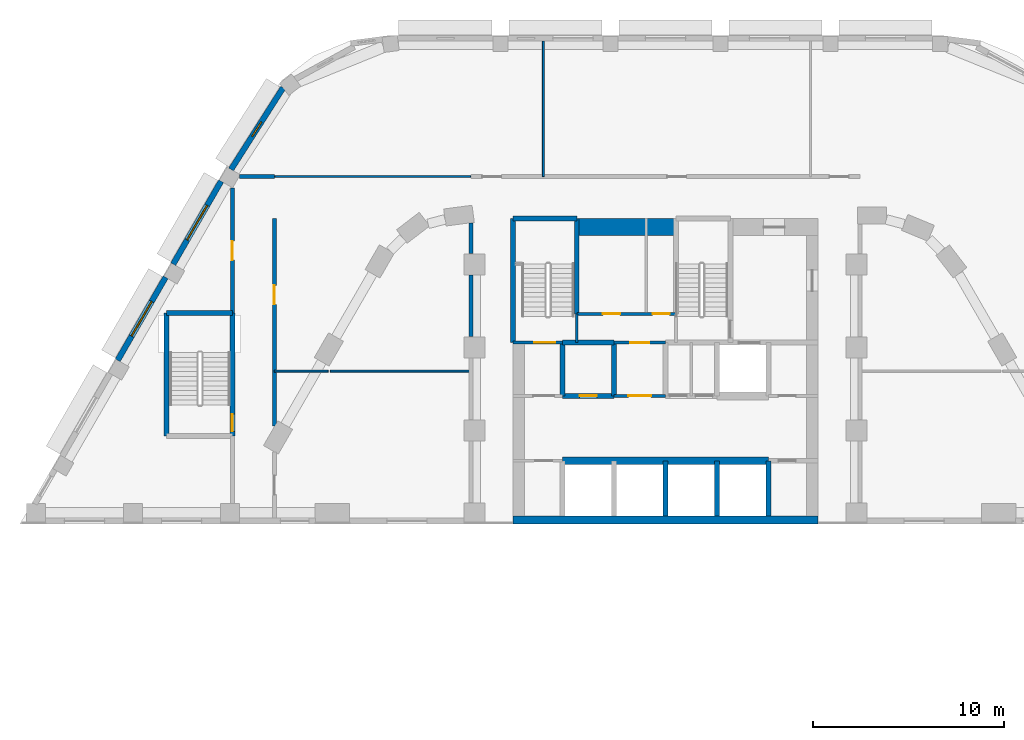
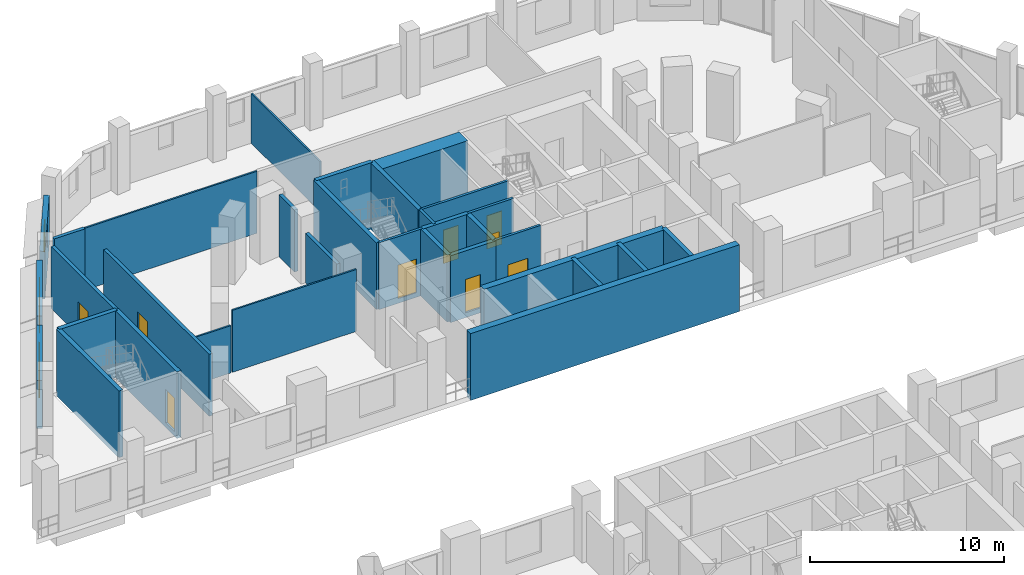
# One storey, part 20 of 33: 33 walls, 9 doors, 3 windows, 12 openings.
"""IFC4 building model written with IfcOpenShell, lengths in metres."""

import ifcopenshell
import ifcopenshell.guid

model = None  # the IFC model being written
_history = None  # IfcOwnerHistory: only IFC2X3 demands one
_inside = {}  # id of a spatial element -> (the spatial element, [elements in it])
_under = {}  # id of a project, library or spatial element -> (it, [spatial elements below it])
_declared = {}  # id of a project -> (the project, [libraries it declares])
_typed = {}  # id of a type object -> (the type object, [elements of that type])
_made_of = {}  # id of a material, layer set ... -> (it, [elements and type objects made of it])


def new_model(schema):
    """Start an empty IFC model of exactly this schema.

    Asked for "IFC4X3", IfcOpenShell would pick the latest addendum, in which some entities
    have other attributes; the version numbers below select the first issue.
    IFC2X3 requires an IfcOwnerHistory on every rooted entity: one is made here for all.
    """
    global model, _history
    if schema == "IFC4X3":
        model = ifcopenshell.file(schema_version=(4, 3, 0, 0))
    else:
        model = ifcopenshell.file(schema=schema)
    _inside.clear()
    _under.clear()
    _declared.clear()
    _typed.clear()
    _made_of.clear()
    _history = None
    if model.schema == "IFC2X3":
        org = make("IfcOrganization", Name="unknown")
        user = make(
            "IfcPersonAndOrganization",
            ThePerson=make("IfcPerson", FamilyName="unknown"),
            TheOrganization=org,
        )
        app = make(
            "IfcApplication",
            ApplicationDeveloper=org,
            Version="unknown",
            ApplicationFullName="unknown",
            ApplicationIdentifier="unknown",
        )
        _history = make(
            "IfcOwnerHistory",
            OwningUser=user,
            OwningApplication=app,
            ChangeAction="ADDED",
            CreationDate=0,
        )
    return model


def make(cls, **values):
    """One entity of the class cls with the attributes given. An attribute that is None is left unset."""
    return model.create_entity(
        cls, **{name: value for name, value in values.items() if value is not None}
    )


def rooted(cls, **values):
    """An entity with a GlobalId (a new one), such as an element, a storey or a relation."""
    return make(cls, GlobalId=ifcopenshell.guid.new(), OwnerHistory=_history, **values)


def si_unit(unit_type, name, prefix=None):
    """IfcSIUnit, for example si_unit("LENGTHUNIT", "METRE", prefix="MILLI")."""
    return make("IfcSIUnit", UnitType=unit_type, Prefix=prefix, Name=name)


def assignment(units):
    """IfcUnitAssignment: the units of a project."""
    return None if units is None else make("IfcUnitAssignment", Units=units)


def point(xyz):
    """IfcCartesianPoint."""
    return None if xyz is None else make("IfcCartesianPoint", Coordinates=xyz)


def direction(xyz):
    """IfcDirection."""
    return None if xyz is None else make("IfcDirection", DirectionRatios=xyz)


def frame(location, z_axis=None, x_axis=None):
    """IfcAxis2Placement3D, a coordinate frame: its origin and axes. An axis left out is left unset."""
    return make(
        "IfcAxis2Placement3D",
        Location=point(location),
        Axis=direction(z_axis),
        RefDirection=direction(x_axis),
    )


def frame_2d(location, x_axis=None):
    """IfcAxis2Placement2D, a coordinate frame in the plane: its origin and x axis."""
    return make(
        "IfcAxis2Placement2D", Location=point(location), RefDirection=direction(x_axis)
    )


def origin():
    """The frame at (0, 0, 0) with its axes left unset."""
    return frame((0.0, 0.0, 0.0))


def place(relative_to, where):
    """IfcLocalPlacement: puts the frame where relative to a parent placement (None: the world)."""
    return make(
        "IfcLocalPlacement", PlacementRelTo=relative_to, RelativePlacement=where
    )


def context(
    kind, dimensions, precision=None, world=None, true_north=None, identifier=None
):
    """IfcGeometricRepresentationContext, for example the 3D "Model" context."""
    return make(
        "IfcGeometricRepresentationContext",
        ContextIdentifier=identifier,
        ContextType=kind,
        CoordinateSpaceDimension=dimensions,
        Precision=precision,
        WorldCoordinateSystem=world,
        TrueNorth=true_north,
    )


def subcontext(parent, identifier, kind, view, scale=None):
    """IfcGeometricRepresentationSubContext, for example "Body" below "Model"."""
    return make(
        "IfcGeometricRepresentationSubContext",
        ContextIdentifier=identifier,
        ContextType=kind,
        ParentContext=parent,
        TargetScale=scale,
        TargetView=view,
    )


def project(units=None, contexts=None):
    """IfcProject with its units and contexts."""
    return rooted(
        "IfcProject",
        Name="project",
        RepresentationContexts=contexts,
        UnitsInContext=assignment(units),
    )


def spatial(cls, under=None, at=None, **own):
    """A site, building, storey or space (cls), placed at a placement, below another one or the project."""
    s = rooted(cls, ObjectPlacement=at, **own)
    if under is not None:
        _under.setdefault(under.id(), (under, []))[1].append(s)
    return s


def profile(cls, at=None, kind="AREA", **sizes):
    """A parametric profile (cls). Its sizes go by their IFC names, for example OverallWidth=200.0."""
    return make(cls, ProfileType=kind, Position=at, **sizes)


def rectangle(**sizes):
    """IfcRectangleProfileDef."""
    return profile("IfcRectangleProfileDef", **sizes)


def extrude(swept, where, along, depth):
    """IfcExtrudedAreaSolid: the profile swept, set in the frame where, extruded along a direction by depth."""
    return make(
        "IfcExtrudedAreaSolid",
        SweptArea=swept,
        Position=where,
        ExtrudedDirection=direction(along),
        Depth=depth,
    )


def shape(context_of_items, identifier, shape_type, items):
    """IfcShapeRepresentation: the items that make up one representation, for example the "Body"."""
    return make(
        "IfcShapeRepresentation",
        ContextOfItems=context_of_items,
        RepresentationIdentifier=identifier,
        RepresentationType=shape_type,
        Items=items,
    )


def material(Name=None, Category=None):
    """IfcMaterial."""
    return make("IfcMaterial", Name=Name, Category=Category)


def layer(
    of_material, thickness, ventilated=None, Name=None, Category=None, Priority=None
):
    """IfcMaterialLayer: one layer of a wall or slab, of a material (None: an air gap)."""
    return make(
        "IfcMaterialLayer",
        Material=of_material,
        LayerThickness=thickness,
        IsVentilated=ventilated,
        Name=Name,
        Category=Category,
        Priority=Priority,
    )


def layer_set(layers, Name=None):
    """IfcMaterialLayerSet."""
    return make("IfcMaterialLayerSet", MaterialLayers=layers, LayerSetName=Name)


def made_of(thing, what):
    """Note that an element or type object is made of a material, layer set ...; save() writes the relation."""
    if what is not None:
        _made_of.setdefault(what.id(), (what, []))[1].append(thing)
    return thing


def type_object(cls, material=None, **own):
    """A type object (cls), such as IfcWallType, which elements share."""
    return made_of(rooted(cls, **own), material)


def element(
    cls,
    number,
    at=None,
    inside=None,
    cuts=None,
    type_object=None,
    material=None,
    context=None,
    identifier="Body",
    shape_type=None,
    held_by="IfcProductDefinitionShape",
    body=None,
    shapes=None,
    **own,
):
    """One element of the class cls, such as IfcWall. Its Tag is "e" and its number.

    at: its placement. inside: the storey or other place that contains it. cuts: it is an
    opening in that element (IfcRelVoidsElement). A single representation is given by context,
    identifier, shape_type and body (its items); several are given by shapes. held_by: the class
    of the entity that holds the representations. save() writes the other relations.
    """
    e = rooted(cls, Tag="e%d" % number, ObjectPlacement=at, **own)
    if body is not None:
        shapes = [shape(context, identifier, shape_type, body)]
    if shapes is not None:
        e.Representation = make(held_by, Representations=shapes)
    if inside is not None:
        _inside.setdefault(inside.id(), (inside, []))[1].append(e)
    if cuts is not None:
        rooted(
            "IfcRelVoidsElement", RelatingBuildingElement=cuts, RelatedOpeningElement=e
        )
    if type_object is not None:
        _typed.setdefault(type_object.id(), (type_object, []))[1].append(e)
    return made_of(e, material)


def fill(opening, filler):
    """IfcRelFillsElement: the door or window that sits in an opening."""
    return rooted(
        "IfcRelFillsElement",
        RelatingOpeningElement=opening,
        RelatedBuildingElement=filler,
    )


def aggregate(whole, parts):
    """IfcRelAggregates: a whole, such as a stair, and the parts it consists of."""
    return rooted("IfcRelAggregates", RelatingObject=whole, RelatedObjects=parts)


def save(model, path):
    """Write the relations noted so far, then the file.

    IfcRelAggregates (storeys below a building ...), IfcRelContainedInSpatialStructure (elements
    in a storey), IfcRelDefinesByType, IfcRelAssociatesMaterial and IfcRelDeclares: one each for
    every whole, place, type object, material and project.
    """
    for whole, parts in _under.values():
        aggregate(whole, parts)
    for where, things in _inside.values():
        rooted(
            "IfcRelContainedInSpatialStructure",
            RelatedElements=things,
            RelatingStructure=where,
        )
    for kind, things in _typed.values():
        rooted("IfcRelDefinesByType", RelatedObjects=things, RelatingType=kind)
    for what, things in _made_of.values():
        rooted("IfcRelAssociatesMaterial", RelatedObjects=things, RelatingMaterial=what)
    for by, libraries in _declared.values():
        rooted("IfcRelDeclares", RelatingContext=by, RelatedDefinitions=libraries)
    model.write(path)


model = new_model("IFC4")

# Units and contexts
model_context = context("Model", 3, precision=1e-05, world=origin(), true_north=direction((0.0, 1.0)))
body_context = subcontext(model_context, "Body", "Model", "MODEL_VIEW")
ifc_project = project(units=[si_unit("LENGTHUNIT", "METRE"), si_unit("AREAUNIT", "SQUARE_METRE"), si_unit("VOLUMEUNIT", "CUBIC_METRE"), si_unit("PLANEANGLEUNIT", "RADIAN"), si_unit("MASSUNIT", "GRAM", prefix="KILO")], contexts=[model_context])

# Site, building, storey
site_placement = place(None, origin())
site = spatial("IfcSite", under=ifc_project, at=site_placement, CompositionType="ELEMENT")
building_placement = place(site_placement, origin())
building = spatial("IfcBuilding", under=site, at=building_placement, Name="Nakaniwa Court", CompositionType="ELEMENT")
storey_placement = place(building_placement, frame((0.0, 0.0, 19.800048828125)))
storey = spatial("IfcBuildingStorey", under=building, at=storey_placement, Name="L04", CompositionType="ELEMENT", Elevation=19.800048828125)

# Wall
ifc_material_1 = material(Name="Acoustic double stud partition")
ifc_layer_1 = layer(ifc_material_1, 0.199951171875)
ifc_layer_set_1 = layer_set([ifc_layer_1], Name="Acoustic double stud partition")
wall_type_1 = type_object("IfcWallType", Name="Acoustic double stud partition 200", PredefinedType="PARTITIONING", material=ifc_layer_set_1)
wall_1_placement = place(storey_placement, frame((57.676513671875, 105.60009765625, 0.0), z_axis=(0.0, 0.0, 1.0), x_axis=(1.0, 0.0, 0.0)))
element("IfcWall", 1, at=wall_1_placement, inside=storey, type_object=wall_type_1, Name="Partition PW-087", PredefinedType="PARTITIONING", context=body_context, shape_type="SweptSolid", body=[
    extrude(rectangle(XDim=1.823486328125, YDim=0.199951171875, at=frame_2d((0.91162109375, 0.0))), origin(), (0.0, 0.0, 1.0), 3.89990234375),
])

# Wall, opening, door
wall_2_placement = place(storey_placement, frame((57.300048828125, 98.447021484375, 0.0), z_axis=(0.0, 0.0, 1.0), x_axis=(0.0, 1.0, 0.0)))
wall_2 = element("IfcWall", 2, at=wall_2_placement, inside=storey, type_object=wall_type_1, Name="Partition PW-095", PredefinedType="PARTITIONING", context=body_context, shape_type="SweptSolid", body=[
    extrude(rectangle(XDim=6.544189453125, YDim=0.199951171875, at=frame_2d((3.27197265625, 0.0))), origin(), (0.0, 0.0, 1.0), 3.89990234375),
])
opening_1_placement = place(wall_2_placement, frame((2.77197265625, 0.0, 0.0)))
opening_1 = element("IfcOpeningElement", 3, at=opening_1_placement, cuts=wall_2, Name="Opening D-02-01", PredefinedType="OPENING", context=body_context, shape_type="SweptSolid", body=[
    extrude(rectangle(XDim=1.0, YDim=2.10009765625, at=frame_2d((0.5, 1.050048828125))), frame((0.0, 0.10986328125, 0.0), z_axis=(0.0, -1.0, 0.0), x_axis=(1.0, 0.0, 0.0)), (0.0, 0.0, 1.0), 0.219970703125),
])
ifc_material_2 = material(Name="Solid core timber door set, black veneer", Category="wood")
door_type_1 = type_object("IfcDoorType", Name="Internal door 1000", OperationType="NOTDEFINED", PredefinedType="DOOR", material=ifc_material_2)
door_1_placement = place(opening_1_placement, origin())
door_1 = element("IfcDoor", 4, at=door_1_placement, inside=storey, type_object=door_type_1, Name="Door D-02-01 L04-029", OperationType="SINGLE_SWING_RIGHT", OverallHeight=2.10009765625, OverallWidth=1.0, PredefinedType="DOOR", context=body_context, shape_type="SweptSolid", body=[
    extrude(rectangle(XDim=1.0, YDim=2.10009765625, at=frame_2d((0.5, 1.050048828125))), frame((0.0, 0.02490234375, 0.0), z_axis=(0.0, -1.0, 0.0), x_axis=(1.0, 0.0, 0.0)), (0.0, 0.0, 1.0), 0.050048828125),
])
fill(opening_1, door_1)

wall_3_placement = place(storey_placement, frame((59.5, 103.403076171875, 0.0), z_axis=(0.0, 0.0, 1.0), x_axis=(0.0, -1.0, 0.0)))
wall_3 = element("IfcWall", 5, at=wall_3_placement, inside=storey, type_object=wall_type_1, Name="Partition PW-099", PredefinedType="PARTITIONING", context=body_context, shape_type="SweptSolid", body=[
    extrude(rectangle(XDim=10.873291015625, YDim=0.199951171875, at=frame_2d((5.4365234375, 0.0))), origin(), (0.0, 0.0, 1.0), 3.89990234375),
])
opening_2_placement = place(wall_3_placement, frame((3.5029296875, 0.0, 0.0)))
opening_2 = element("IfcOpeningElement", 6, at=opening_2_placement, cuts=wall_3, Name="Opening D-02-05", PredefinedType="OPENING", context=body_context, shape_type="SweptSolid", body=[
    extrude(rectangle(XDim=1.0, YDim=2.10009765625, at=frame_2d((0.5, 1.050048828125))), frame((0.0, 0.10986328125, 0.0), z_axis=(0.0, -1.0, 0.0), x_axis=(1.0, 0.0, 0.0)), (0.0, 0.0, 1.0), 0.219970703125),
])
door_2_placement = place(opening_2_placement, origin())
door_2 = element("IfcDoor", 7, at=door_2_placement, inside=storey, type_object=door_type_1, Name="Door D-02-05 L04-034", OperationType="SINGLE_SWING_LEFT", OverallHeight=2.10009765625, OverallWidth=1.0, PredefinedType="DOOR", context=body_context, shape_type="SweptSolid", body=[
    extrude(rectangle(XDim=1.0, YDim=2.10009765625, at=frame_2d((0.5, 1.050048828125))), frame((0.0, 0.02490234375, 0.0), z_axis=(0.0, -1.0, 0.0), x_axis=(1.0, 0.0, 0.0)), (0.0, 0.0, 1.0), 0.050048828125),
])
fill(opening_2, door_2)

# Walls
wall_4_placement = place(storey_placement, frame((69.800048828125, 97.217041015625, 0.0), z_axis=(0.0, 0.0, 1.0), x_axis=(0.0, 1.0, 0.0)))
element("IfcWall", 8, at=wall_4_placement, inside=storey, type_object=wall_type_1, Name="Partition PW-114", PredefinedType="PARTITIONING", context=body_context, shape_type="SweptSolid", body=[
    extrude(rectangle(XDim=3.216064453125, YDim=0.199951171875, at=frame_2d((1.60791015625, 0.0))), origin(), (0.0, 0.0, 1.0), 3.1298828125),
])
wall_5_placement = place(storey_placement, frame((69.800048828125, 101.56689453125, 0.0), z_axis=(0.0, 0.0, 1.0), x_axis=(0.0, 1.0, 0.0)))
element("IfcWall", 9, at=wall_5_placement, inside=storey, type_object=wall_type_1, Name="Partition PW-115", PredefinedType="PARTITIONING", context=body_context, shape_type="SweptSolid", body=[
    extrude(rectangle(XDim=1.59423828125, YDim=0.199951171875, at=frame_2d((0.797119140625, 0.0))), origin(), (0.0, 0.0, 1.0), 3.89990234375),
])

# Wall, opening, window
ifc_material_3 = material(Name="Charcoal ceramic cladding")
ifc_layer_2 = layer(ifc_material_3, 0.02, Name="Ceramic cladding")
ifc_material_4 = material(Name="Ventilated air cavity")
ifc_layer_3 = layer(ifc_material_4, 0.04, ventilated=True, Name="Ventilated cavity")
ifc_material_5 = material(Name="Mineral wool insulation")
ifc_layer_4 = layer(ifc_material_5, 0.1, Name="Insulation")
ifc_material_6 = material(Name="Cement bonded sheathing board")
ifc_layer_5 = layer(ifc_material_6, 0.012, Name="Sheathing")
ifc_material_7 = material(Name="Cold-formed galvanised stud frame with mineral wool infill")
ifc_layer_6 = layer(ifc_material_7, 0.1, Name="Stud frame")
ifc_material_8 = material(Name="Fire-rated gypsum plasterboard lining")
ifc_layer_7 = layer(ifc_material_8, 0.028, Name="Lining")
ifc_layer_set_2 = layer_set([ifc_layer_2, ifc_layer_3, ifc_layer_4, ifc_layer_5, ifc_layer_6, ifc_layer_7], Name="Charcoal ceramic faced external wall system")
wall_type_2 = type_object("IfcWallType", Name="Black ceramic faced external wall 300", PredefinedType="SOLIDWALL", material=ifc_layer_set_2)
wall_6_placement = place(storey_placement, frame((56.7080078125, 105.357177734375, 0.0), z_axis=(0.0, 0.0, 1.0), x_axis=(-0.500011252833, -0.866018906861, 0.0)))
wall_6 = element("IfcWall", 10, at=wall_6_placement, inside=storey, type_object=wall_type_2, Name="L04 external wall 27", PredefinedType="SOLIDWALL", context=body_context, shape_type="SweptSolid", body=[
    extrude(rectangle(XDim=5.02490234375, YDim=0.300048828125, at=frame_2d((2.512451171875, 0.0))), origin(), (0.0, 0.0, 1.0), 3.0),
])
opening_3_placement = place(wall_6_placement, frame((1.46240234375, 0.0, 0.89990234375)))
opening_3 = element("IfcOpeningElement", 11, at=opening_3_placement, cuts=wall_6, Name="Opening W2.21", PredefinedType="OPENING", context=body_context, shape_type="SweptSolid", body=[
    extrude(rectangle(XDim=2.10009765625, YDim=2.050048828125, at=frame_2d((1.050048828125, 1.02490234375))), frame((0.0, 0.159912109375, 0.0), z_axis=(0.0, -1.0, 0.0), x_axis=(1.0, 0.0, 0.0)), (0.0, 0.0, 1.0), 0.320068359375),
])
ifc_material_9 = material(Name="Black anodised aluminium frame with dark low-E laminated double glazing", Category="aluminium")
window_type_1 = type_object("IfcWindowType", Name="Dark glass window 2100x2050 sill 900", PartitioningType="SINGLE_PANEL", PredefinedType="WINDOW", material=ifc_material_9)
window_1_placement = place(opening_3_placement, origin())
window_1 = element("IfcWindow", 12, at=window_1_placement, inside=storey, type_object=window_type_1, Name="L04 habitable room window 27-0", OverallHeight=2.050048828125, OverallWidth=2.10009765625, PartitioningType="SINGLE_PANEL", PredefinedType="WINDOW", context=body_context, shape_type="SweptSolid", body=[
    extrude(rectangle(XDim=2.10009765625, YDim=2.050048828125, at=frame_2d((1.050048828125, 1.02490234375))), frame((0.0, 0.030029296875, 0.0), z_axis=(0.0, -1.0, 0.0), x_axis=(1.0, 0.0, 0.0)), (0.0, 0.0, 1.0), 0.06005859375),
])
fill(opening_3, window_1)

wall_7_placement = place(storey_placement, frame((53.799560546875, 100.319580078125, 0.0), z_axis=(0.0, 0.0, 1.0), x_axis=(-0.499974811625, -0.866039945811, 0.0)))
wall_7 = element("IfcWall", 13, at=wall_7_placement, inside=storey, type_object=wall_type_2, Name="L04 external wall 28", PredefinedType="SOLIDWALL", context=body_context, shape_type="SweptSolid", body=[
    extrude(rectangle(XDim=5.024658203125, YDim=0.300048828125, at=frame_2d((2.51220703125, 0.0))), origin(), (0.0, 0.0, 1.0), 3.0),
])
opening_4_placement = place(wall_7_placement, frame((1.46240234375, 0.0, 0.89990234375)))
opening_4 = element("IfcOpeningElement", 14, at=opening_4_placement, cuts=wall_7, Name="Opening W2.22", PredefinedType="OPENING", context=body_context, shape_type="SweptSolid", body=[
    extrude(rectangle(XDim=2.10009765625, YDim=2.050048828125, at=frame_2d((1.050048828125, 1.02490234375))), frame((0.0, 0.159912109375, 0.0), z_axis=(0.0, -1.0, 0.0), x_axis=(1.0, 0.0, 0.0)), (0.0, 0.0, 1.0), 0.320068359375),
])
window_2_placement = place(opening_4_placement, origin())
window_2 = element("IfcWindow", 15, at=window_2_placement, inside=storey, type_object=window_type_1, Name="L04 habitable room window 28-0", OverallHeight=2.050048828125, OverallWidth=2.10009765625, PartitioningType="SINGLE_PANEL", PredefinedType="WINDOW", context=body_context, shape_type="SweptSolid", body=[
    extrude(rectangle(XDim=2.10009765625, YDim=2.050048828125, at=frame_2d((1.050048828125, 1.02490234375))), frame((0.0, 0.030029296875, 0.0), z_axis=(0.0, -1.0, 0.0), x_axis=(1.0, 0.0, 0.0)), (0.0, 0.0, 1.0), 0.06005859375),
])
fill(opening_4, window_2)

wall_8_placement = place(storey_placement, frame((59.95361328125, 110.24755859375, 0.0), z_axis=(0.0, 0.0, 1.0), x_axis=(-0.537224370512, -0.843439372882, 0.0)))
wall_8 = element("IfcWall", 16, at=wall_8_placement, inside=storey, type_object=wall_type_2, Name="L04 external wall 53", PredefinedType="SOLIDWALL", context=body_context, shape_type="SweptSolid", body=[
    extrude(rectangle(XDim=5.07080078125, YDim=0.300048828125, at=frame_2d((2.535400390625, 0.0))), origin(), (0.0, 0.0, 1.0), 3.0),
])
opening_5_placement = place(wall_8_placement, frame((2.11328125, 0.0, 1.5)))
opening_5 = element("IfcOpeningElement", 17, at=opening_5_placement, cuts=wall_8, Name="Opening W3.43", PredefinedType="OPENING", context=body_context, shape_type="SweptSolid", body=[
    extrude(rectangle(XDim=0.89990234375, YDim=1.449951171875, at=frame_2d((0.449951171875, 0.72509765625))), frame((0.0, 0.159912109375, 0.0), z_axis=(0.0, -1.0, 0.0), x_axis=(1.0, 0.0, 0.0)), (0.0, 0.0, 1.0), 0.320068359375),
])
window_type_2 = type_object("IfcWindowType", Name="Dark glass window 900x1450 sill 1500", PartitioningType="SINGLE_PANEL", PredefinedType="WINDOW", material=ifc_material_9)
window_3_placement = place(opening_5_placement, origin())
window_3 = element("IfcWindow", 18, at=window_3_placement, inside=storey, type_object=window_type_2, Name="L04 bathroom window 53-0", OverallHeight=1.449951171875, OverallWidth=0.89990234375, PartitioningType="SINGLE_PANEL", PredefinedType="WINDOW", context=body_context, shape_type="SweptSolid", body=[
    extrude(rectangle(XDim=0.89990234375, YDim=1.449951171875, at=frame_2d((0.449951171875, 0.72509765625))), frame((0.0, 0.030029296875, 0.0), z_axis=(0.0, -1.0, 0.0), x_axis=(1.0, 0.0, 0.0)), (0.0, 0.0, 1.0), 0.06005859375),
])
fill(opening_5, window_3)

# Wall, opening, door
ifc_material_10 = material(Name="Blockwork partition", Category="masonry")
ifc_layer_8 = layer(ifc_material_10, 0.14990234375)
ifc_layer_set_3 = layer_set([ifc_layer_8], Name="Blockwork partition")
wall_type_3 = type_object("IfcWallType", Name="Blockwork partition 150", PredefinedType="PARTITIONING", material=ifc_layer_set_3)
wall_9_placement = place(storey_placement, frame((77.297119140625, 94.10009765625, 0.0), z_axis=(0.0, 0.0, 1.0), x_axis=(1.0, 0.0, 0.0)))
wall_9 = element("IfcWall", 19, at=wall_9_placement, inside=storey, type_object=wall_type_3, Name="Partition PW-017", PredefinedType="PARTITIONING", context=body_context, shape_type="SweptSolid", body=[
    extrude(rectangle(XDim=2.705810546875, YDim=0.14990234375, at=frame_2d((1.35302734375, 0.0))), origin(), (0.0, 0.0, 1.0), 3.89990234375),
])
opening_6_placement = place(wall_9_placement, frame((0.7529296875, 0.0, 0.0)))
opening_6 = element("IfcOpeningElement", 20, at=opening_6_placement, cuts=wall_9, Name="Opening D-06-01", PredefinedType="OPENING", context=body_context, shape_type="SweptSolid", body=[
    extrude(rectangle(XDim=1.199951171875, YDim=2.10009765625, at=frame_2d((0.60009765625, 1.050048828125))), frame((0.0, 0.0849609375, 0.0), z_axis=(0.0, -1.0, 0.0), x_axis=(1.0, 0.0, 0.0)), (0.0, 0.0, 1.0), 0.169921875),
])
ifc_material_11 = material(Name="Fire rated steel double door set", Category="steel")
door_type_2 = type_object("IfcDoorType", Name="Service passage double door 1200", OperationType="NOTDEFINED", PredefinedType="DOOR", material=ifc_material_11)
door_3_placement = place(opening_6_placement, origin())
door_3 = element("IfcDoor", 21, at=door_3_placement, inside=storey, type_object=door_type_2, Name="Door D-06-01 L04-005", OperationType="DOUBLE_DOOR_SINGLE_SWING", OverallHeight=2.10009765625, OverallWidth=1.199951171875, PredefinedType="DOOR", context=body_context, shape_type="SweptSolid", body=[
    extrude(rectangle(XDim=1.199951171875, YDim=2.10009765625, at=frame_2d((0.60009765625, 1.050048828125))), frame((0.0, 0.02490234375, 0.0), z_axis=(0.0, -1.0, 0.0), x_axis=(1.0, 0.0, 0.0)), (0.0, 0.0, 1.0), 0.050048828125),
])
fill(opening_6, door_3)

wall_10_placement = place(storey_placement, frame((77.300048828125, 96.89990234375, 0.0), z_axis=(0.0, 0.0, 1.0), x_axis=(1.0, 0.0, 0.0)))
wall_10 = element("IfcWall", 22, at=wall_10_placement, inside=storey, type_object=wall_type_3, Name="Partition PW-025", PredefinedType="PARTITIONING", context=body_context, shape_type="SweptSolid", body=[
    extrude(rectangle(XDim=2.699951171875, YDim=0.14990234375, at=frame_2d((1.35009765625, 0.0))), origin(), (0.0, 0.0, 1.0), 3.89990234375),
])
opening_7_placement = place(wall_10_placement, frame((0.85009765625, 0.0, 0.0)))
opening_7 = element("IfcOpeningElement", 23, at=opening_7_placement, cuts=wall_10, Name="Opening D-23-01", PredefinedType="OPENING", context=body_context, shape_type="SweptSolid", body=[
    extrude(rectangle(XDim=1.0, YDim=2.10009765625, at=frame_2d((0.5, 1.050048828125))), frame((0.0, 0.0849609375, 0.0), z_axis=(0.0, -1.0, 0.0), x_axis=(1.0, 0.0, 0.0)), (0.0, 0.0, 1.0), 0.169921875),
])
ifc_material_12 = material(Name="Fire rated steel door set", Category="steel")
door_type_3 = type_object("IfcDoorType", Name="Service room door 1000", OperationType="NOTDEFINED", PredefinedType="DOOR", material=ifc_material_12)
door_4_placement = place(opening_7_placement, origin())
door_4 = element("IfcDoor", 24, at=door_4_placement, inside=storey, type_object=door_type_3, Name="Door D-23-01 L04-009", OperationType="SINGLE_SWING_RIGHT", OverallHeight=2.10009765625, OverallWidth=1.0, PredefinedType="DOOR", context=body_context, shape_type="SweptSolid", body=[
    extrude(rectangle(XDim=1.0, YDim=2.10009765625, at=frame_2d((0.5, 1.050048828125))), frame((0.0, 0.02490234375, 0.0), z_axis=(0.0, -1.0, 0.0), x_axis=(1.0, 0.0, 0.0)), (0.0, 0.0, 1.0), 0.050048828125),
])
fill(opening_7, door_4)

# Wall, openings, doors
wall_11_placement = place(storey_placement, frame((75.35009765625, 98.39990234375, 0.0), z_axis=(0.0, 0.0, 1.0), x_axis=(1.0, 0.0, 0.0)))
wall_11 = element("IfcWall", 25, at=wall_11_placement, inside=storey, type_object=wall_type_3, Name="Partition PW-037", PredefinedType="PARTITIONING", context=body_context, shape_type="SweptSolid", body=[
    extrude(rectangle(XDim=5.199951171875, YDim=0.14990234375, at=frame_2d((2.60009765625, 0.0))), origin(), (0.0, 0.0, 1.0), 3.89990234375),
])
opening_8_placement = place(wall_11_placement, frame((1.3701171875, 0.0, 0.0)))
opening_8 = element("IfcOpeningElement", 26, at=opening_8_placement, cuts=wall_11, Name="Opening D-05-07", PredefinedType="OPENING", context=body_context, shape_type="SweptSolid", body=[
    extrude(rectangle(XDim=0.89990234375, YDim=2.10009765625, at=frame_2d((0.449951171875, 1.050048828125))), frame((0.0, 0.0849609375, 0.0), z_axis=(0.0, -1.0, 0.0), x_axis=(1.0, 0.0, 0.0)), (0.0, 0.0, 1.0), 0.169921875),
])
opening_9_placement = place(wall_11_placement, frame((3.969970703125, 0.0, 0.0)))
opening_9 = element("IfcOpeningElement", 27, at=opening_9_placement, cuts=wall_11, Name="Opening D-05-08", PredefinedType="OPENING", context=body_context, shape_type="SweptSolid", body=[
    extrude(rectangle(XDim=0.89990234375, YDim=2.10009765625, at=frame_2d((0.449951171875, 1.050048828125))), frame((0.0, 0.0849609375, 0.0), z_axis=(0.0, -1.0, 0.0), x_axis=(1.0, 0.0, 0.0)), (0.0, 0.0, 1.0), 0.169921875),
])
door_type_4 = type_object("IfcDoorType", Name="Service room door 900", OperationType="NOTDEFINED", PredefinedType="DOOR", material=ifc_material_12)
door_5_placement = place(opening_8_placement, origin())
door_5 = element("IfcDoor", 28, at=door_5_placement, inside=storey, type_object=door_type_4, Name="Door D-05-07 L04-010", OperationType="SINGLE_SWING_LEFT", OverallHeight=2.10009765625, OverallWidth=0.89990234375, PredefinedType="DOOR", context=body_context, shape_type="SweptSolid", body=[
    extrude(rectangle(XDim=0.89990234375, YDim=2.10009765625, at=frame_2d((0.449951171875, 1.050048828125))), frame((0.0, 0.02490234375, 0.0), z_axis=(0.0, -1.0, 0.0), x_axis=(1.0, 0.0, 0.0)), (0.0, 0.0, 1.0), 0.050048828125),
])
fill(opening_8, door_5)
door_6_placement = place(opening_9_placement, origin())
door_6 = element("IfcDoor", 29, at=door_6_placement, inside=storey, type_object=door_type_4, Name="Door D-05-08 L04-011", OperationType="SINGLE_SWING_RIGHT", OverallHeight=2.10009765625, OverallWidth=0.89990234375, PredefinedType="DOOR", context=body_context, shape_type="SweptSolid", body=[
    extrude(rectangle(XDim=0.89990234375, YDim=2.10009765625, at=frame_2d((0.449951171875, 1.050048828125))), frame((0.0, 0.02490234375, 0.0), z_axis=(0.0, -1.0, 0.0), x_axis=(1.0, 0.0, 0.0)), (0.0, 0.0, 1.0), 0.050048828125),
])
fill(opening_9, door_6)

# Wall
ifc_material_13 = material(Name="Concrete C100/115", Category="concrete")
ifc_layer_9 = layer(ifc_material_13, 0.39990234375)
ifc_layer_set_4 = layer_set([ifc_layer_9], Name="Concrete C100/115")
wall_type_4 = type_object("IfcWallType", Name="Concrete core spine wall 400 C100", PredefinedType="SHEAR", material=ifc_layer_set_4)
wall_12_placement = place(storey_placement, frame((74.60009765625, 90.699951171875, -0.300048828125), z_axis=(0.0, 0.0, 1.0), x_axis=(1.0, 0.0, 0.0)))
element("IfcWall", 30, at=wall_12_placement, inside=storey, type_object=wall_type_4, Name="Core wall SW-07", PredefinedType="SHEAR", context=body_context, shape_type="SweptSolid", body=[
    extrude(rectangle(XDim=10.7998046875, YDim=0.39990234375, at=frame_2d((5.39990234375, 0.0))), origin(), (0.0, 0.0, 1.0), 4.199951171875),
])

# Wall, opening, door
ifc_layer_10 = layer(ifc_material_13, 0.14990234375)
ifc_layer_set_5 = layer_set([ifc_layer_10], Name="Concrete C100/115")
wall_type_5 = type_object("IfcWallType", Name="Concrete core wall 150 C100", PredefinedType="SHEAR", material=ifc_layer_set_5)
wall_13_placement = place(storey_placement, frame((74.60009765625, 96.89990234375, -0.300048828125), z_axis=(0.0, 0.0, 1.0), x_axis=(-1.0, 0.0, 0.0)))
wall_13 = element("IfcWall", 31, at=wall_13_placement, inside=storey, type_object=wall_type_5, Name="Core wall SW-22", PredefinedType="SHEAR", context=body_context, shape_type="SweptSolid", body=[
    extrude(rectangle(XDim=2.60009765625, YDim=0.14990234375, at=frame_2d((1.300048828125, 0.0))), origin(), (0.0, 0.0, 1.0), 4.199951171875),
])
opening_10_placement = place(wall_13_placement, frame((0.3701171875, 0.0, 0.300048828125)))
opening_10 = element("IfcOpeningElement", 32, at=opening_10_placement, cuts=wall_13, Name="Opening D-09-01", PredefinedType="OPENING", context=body_context, shape_type="SweptSolid", body=[
    extrude(rectangle(XDim=1.10009765625, YDim=2.10009765625, at=frame_2d((0.550048828125, 1.050048828125))), frame((0.0, 0.0849609375, 0.0), z_axis=(0.0, -1.0, 0.0), x_axis=(1.0, 0.0, 0.0)), (0.0, 0.0, 1.0), 0.169921875),
])
door_type_5 = type_object("IfcDoorType", Name="Stair door 1100", OperationType="NOTDEFINED", PredefinedType="DOOR", material=ifc_material_12)
door_7_placement = place(opening_10_placement, origin())
door_7 = element("IfcDoor", 33, at=door_7_placement, inside=storey, type_object=door_type_5, Name="Door D-09-01 L04-012", OperationType="SINGLE_SWING_RIGHT", OverallHeight=2.10009765625, OverallWidth=1.10009765625, PredefinedType="DOOR", context=body_context, shape_type="SweptSolid", body=[
    extrude(rectangle(XDim=1.10009765625, YDim=2.10009765625, at=frame_2d((0.550048828125, 1.050048828125))), frame((0.0, 0.02490234375, 0.0), z_axis=(0.0, -1.0, 0.0), x_axis=(1.0, 0.0, 0.0)), (0.0, 0.0, 1.0), 0.050048828125),
])
fill(opening_10, door_7)

# Walls
wall_14_placement = place(storey_placement, frame((75.35009765625, 96.89990234375, -0.300048828125), z_axis=(0.0, 0.0, 1.0), x_axis=(0.0, 1.0, 0.0)))
element("IfcWall", 34, at=wall_14_placement, inside=storey, type_object=wall_type_5, Name="Core wall SW-27", PredefinedType="SHEAR", context=body_context, shape_type="SweptSolid", body=[
    extrude(rectangle(XDim=1.503173828125, YDim=0.14990234375, at=frame_2d((0.75146484375, 0.0))), origin(), (0.0, 0.0, 1.0), 4.199951171875),
])
ifc_layer_11 = layer(ifc_material_13, 0.25)
ifc_layer_set_6 = layer_set([ifc_layer_11], Name="Concrete C100/115")
wall_type_6 = type_object("IfcWallType", Name="Concrete core wall 250 C100", PredefinedType="SHEAR", material=ifc_layer_set_6)
wall_15_placement = place(storey_placement, frame((72.0, 96.89990234375, -0.300048828125), z_axis=(0.0, 0.0, 1.0), x_axis=(0.0, 1.0, 0.0)))
element("IfcWall", 35, at=wall_15_placement, inside=storey, type_object=wall_type_6, Name="Core wall SW-29", PredefinedType="SHEAR", context=body_context, shape_type="SweptSolid", body=[
    extrude(rectangle(XDim=6.5, YDim=0.25, at=frame_2d((3.25, 0.0))), origin(), (0.0, 0.0, 1.0), 4.199951171875),
])
wall_16_placement = place(storey_placement, frame((72.0, 103.39990234375, -0.300048828125), z_axis=(0.0, 0.0, 1.0), x_axis=(1.0, 0.0, 0.0)))
element("IfcWall", 36, at=wall_16_placement, inside=storey, type_object=wall_type_6, Name="Core wall SW-30", PredefinedType="SHEAR", context=body_context, shape_type="SweptSolid", body=[
    extrude(rectangle(XDim=3.35009765625, YDim=0.25, at=frame_2d((1.675048828125, 0.0))), origin(), (0.0, 0.0, 1.0), 4.199951171875),
])

# Wall, opening, door
wall_17_placement = place(storey_placement, frame((57.300048828125, 98.452880859375, -0.300048828125), z_axis=(0.0, 0.0, 1.0), x_axis=(0.0, -1.0, 0.0)))
wall_17 = element("IfcWall", 37, at=wall_17_placement, inside=storey, type_object=wall_type_6, Name="Core wall SW-91", PredefinedType="SHEAR", context=body_context, shape_type="SweptSolid", body=[
    extrude(rectangle(XDim=6.455810546875, YDim=0.25, at=frame_2d((3.22802734375, 0.0))), origin(), (0.0, 0.0, 1.0), 4.199951171875),
])
opening_11_placement = place(wall_17_placement, frame((5.305908203125, 0.0, 0.300048828125)))
opening_11 = element("IfcOpeningElement", 38, at=opening_11_placement, cuts=wall_17, Name="Opening D-11-04", PredefinedType="OPENING", context=body_context, shape_type="SweptSolid", body=[
    extrude(rectangle(XDim=0.89990234375, YDim=2.10009765625, at=frame_2d((0.449951171875, 1.050048828125))), frame((0.0, 0.135009765625, 0.0), z_axis=(0.0, -1.0, 0.0), x_axis=(1.0, 0.0, 0.0)), (0.0, 0.0, 1.0), 0.27001953125),
])
door_type_6 = type_object("IfcDoorType", Name="Stair door 900", OperationType="NOTDEFINED", PredefinedType="DOOR", material=ifc_material_12)
door_8_placement = place(opening_11_placement, origin())
door_8 = element("IfcDoor", 39, at=door_8_placement, inside=storey, type_object=door_type_6, Name="Door D-11-04 L04-028", OperationType="SINGLE_SWING_RIGHT", OverallHeight=2.10009765625, OverallWidth=0.89990234375, PredefinedType="DOOR", context=body_context, shape_type="SweptSolid", body=[
    extrude(rectangle(XDim=0.89990234375, YDim=2.10009765625, at=frame_2d((0.449951171875, 1.050048828125))), frame((0.0, 0.02490234375, 0.0), z_axis=(0.0, -1.0, 0.0), x_axis=(1.0, 0.0, 0.0)), (0.0, 0.0, 1.0), 0.050048828125),
])
fill(opening_11, door_8)

# Walls
wall_18_placement = place(storey_placement, frame((53.85009765625, 98.449951171875, -0.300048828125), z_axis=(0.0, 0.0, 1.0), x_axis=(1.0, 0.0, 0.0)))
element("IfcWall", 40, at=wall_18_placement, inside=storey, type_object=wall_type_6, Name="Core wall SW-118", PredefinedType="SHEAR", context=body_context, shape_type="SweptSolid", body=[
    extrude(rectangle(XDim=3.449951171875, YDim=0.25, at=frame_2d((1.72509765625, 0.0))), origin(), (0.0, 0.0, 1.0), 4.199951171875),
])
wall_19_placement = place(storey_placement, frame((53.85009765625, 92.0, -0.300048828125), z_axis=(0.0, 0.0, 1.0), x_axis=(0.0, 1.0, 0.0)))
element("IfcWall", 41, at=wall_19_placement, inside=storey, type_object=wall_type_6, Name="Core wall SW-123", PredefinedType="SHEAR", context=body_context, shape_type="SweptSolid", body=[
    extrude(rectangle(XDim=6.449951171875, YDim=0.25, at=frame_2d((3.22509765625, 0.0))), origin(), (0.0, 0.0, 1.0), 4.199951171875),
])
ifc_layer_12 = layer(ifc_material_13, 0.89990234375)
ifc_layer_set_7 = layer_set([ifc_layer_12], Name="Concrete C100/115")
wall_type_7 = type_object("IfcWallType", Name="Concrete core wall 900 C100", PredefinedType="SHEAR", material=ifc_layer_set_7)
wall_20_placement = place(storey_placement, frame((75.35009765625, 102.949951171875, -0.300048828125), z_axis=(0.0, 0.0, 1.0), x_axis=(1.0, 0.0, 0.0)))
element("IfcWall", 42, at=wall_20_placement, inside=storey, type_object=wall_type_7, Name="Core wall SW-35", PredefinedType="SHEAR", context=body_context, shape_type="SweptSolid", body=[
    extrude(rectangle(XDim=5.199951171875, YDim=0.89990234375, at=frame_2d((2.60009765625, 0.0))), origin(), (0.0, 0.0, 1.0), 4.199951171875),
])
ifc_layer_13 = layer(ifc_material_13, 0.39990234375)
ifc_layer_set_8 = layer_set([ifc_layer_13], Name="Concrete C100/115")
wall_type_8 = type_object("IfcWallType", Name="Concrete core well wall 400 C100", PredefinedType="SHEAR", material=ifc_layer_set_8)
wall_21_placement = place(storey_placement, frame((72.00390625, 87.60009765625, -0.300048828125), z_axis=(0.0, 0.0, 1.0), x_axis=(1.0, 0.0, 0.0)))
element("IfcWall", 43, at=wall_21_placement, inside=storey, type_object=wall_type_8, Name="Core wall SW-150", PredefinedType="SHEAR", context=body_context, shape_type="SweptSolid", body=[
    extrude(rectangle(XDim=15.9921875, YDim=0.39990234375, at=frame_2d((7.99609375, 0.0))), origin(), (0.0, 0.0, 1.0), 4.199951171875),
])
ifc_layer_14 = layer(ifc_material_13, 0.25)
ifc_layer_set_9 = layer_set([ifc_layer_14], Name="Concrete C100/115")
wall_type_9 = type_object("IfcWallType", Name="Concrete shaft wall 250 C100", PredefinedType="SHEAR", material=ifc_layer_set_9)
for number, where, z_axis, x_axis, name in (
    (44, (74.60009765625, 94.10009765625, -0.300048828125), (0.0, 0.0, 1.0), (0.0, 1.0, 0.0), "Core wall SW-02"),
    (45, (77.300048828125, 94.10009765625, -0.300048828125), (0.0, 0.0, 1.0), (0.0, 1.0, 0.0), "Core wall SW-06"),
):
    element("IfcWall", number, at=place(storey_placement, frame(where, z_axis=z_axis, x_axis=x_axis)), inside=storey, type_object=wall_type_9, Name=name, PredefinedType="SHEAR", context=body_context, shape_type="SweptSolid", body=[
        extrude(rectangle(XDim=2.7998046875, YDim=0.25, at=frame_2d((1.39990234375, 0.0))), origin(), (0.0, 0.0, 1.0), 4.199951171875),
    ])
for number, where, z_axis, x_axis, name in (
    (46, (80.0, 87.800048828125, -0.300048828125), (0.0, 0.0, 1.0), (0.0, 1.0, 0.0), "Core wall SW-08"),
    (47, (82.699951171875, 87.800048828125, -0.300048828125), (0.0, 0.0, 1.0), (0.0, 1.0, 0.0), "Core wall SW-10"),
    (48, (85.39990234375, 87.800048828125, -0.300048828125), (0.0, 0.0, 1.0), (0.0, 1.0, 0.0), "Core wall SW-12"),
):
    element("IfcWall", number, at=place(storey_placement, frame(where, z_axis=z_axis, x_axis=x_axis)), inside=storey, type_object=wall_type_9, Name=name, PredefinedType="SHEAR", context=body_context, shape_type="SweptSolid", body=[
        extrude(rectangle(XDim=2.89990234375, YDim=0.25, at=frame_2d((1.449951171875, 0.0))), origin(), (0.0, 0.0, 1.0), 4.199951171875),
    ])

# Wall, opening, door
wall_22_placement = place(storey_placement, frame((74.596923828125, 94.10009765625, -0.300048828125), z_axis=(0.0, 0.0, 1.0), x_axis=(1.0, 0.0, 0.0)))
wall_22 = element("IfcWall", 49, at=wall_22_placement, inside=storey, type_object=wall_type_9, Name="Core wall SW-19", PredefinedType="SHEAR", context=body_context, shape_type="SweptSolid", body=[
    extrude(rectangle(XDim=2.7060546875, YDim=0.25, at=frame_2d((1.35302734375, 0.0))), origin(), (0.0, 0.0, 1.0), 4.199951171875),
])
opening_12_placement = place(wall_22_placement, frame((0.903076171875, 0.0, 0.300048828125)))
opening_12 = element("IfcOpeningElement", 50, at=opening_12_placement, cuts=wall_22, Name="Opening D-05-03", PredefinedType="OPENING", context=body_context, shape_type="SweptSolid", body=[
    extrude(rectangle(XDim=0.89990234375, YDim=2.10009765625, at=frame_2d((0.449951171875, 1.050048828125))), frame((0.0, 0.135009765625, 0.0), z_axis=(0.0, -1.0, 0.0), x_axis=(1.0, 0.0, 0.0)), (0.0, 0.0, 1.0), 0.27001953125),
])
door_9_placement = place(opening_12_placement, origin())
door_9 = element("IfcDoor", 51, at=door_9_placement, inside=storey, type_object=door_type_4, Name="Door D-05-03 L04-004", OperationType="SINGLE_SWING_LEFT", OverallHeight=2.10009765625, OverallWidth=0.89990234375, PredefinedType="DOOR", context=body_context, shape_type="SweptSolid", body=[
    extrude(rectangle(XDim=0.89990234375, YDim=2.10009765625, at=frame_2d((0.449951171875, 1.050048828125))), frame((0.0, 0.02490234375, 0.0), z_axis=(0.0, -1.0, 0.0), x_axis=(1.0, 0.0, 0.0)), (0.0, 0.0, 1.0), 0.050048828125),
])
fill(opening_12, door_9)

# Walls
wall_23_placement = place(storey_placement, frame((74.60009765625, 96.89990234375, -0.300048828125), z_axis=(0.0, 0.0, 1.0), x_axis=(1.0, 0.0, 0.0)))
element("IfcWall", 52, at=wall_23_placement, inside=storey, type_object=wall_type_9, Name="Core wall SW-23", PredefinedType="SHEAR", context=body_context, shape_type="SweptSolid", body=[
    extrude(rectangle(XDim=2.699951171875, YDim=0.25, at=frame_2d((1.35009765625, 0.0))), origin(), (0.0, 0.0, 1.0), 4.199951171875),
])
wall_24_placement = place(storey_placement, frame((75.35009765625, 98.39697265625, -0.300048828125), z_axis=(0.0, 0.0, 1.0), x_axis=(0.0, 1.0, 0.0)))
element("IfcWall", 53, at=wall_24_placement, inside=storey, type_object=wall_type_9, Name="Core wall SW-28", PredefinedType="SHEAR", context=body_context, shape_type="SweptSolid", body=[
    extrude(rectangle(XDim=5.0029296875, YDim=0.25, at=frame_2d((2.50146484375, 0.0))), origin(), (0.0, 0.0, 1.0), 4.199951171875),
])
ifc_material_14 = material(Name="Single stud plasterboard partition")
ifc_layer_15 = layer(ifc_material_14, 0.10009765625)
ifc_layer_set_10 = layer_set([ifc_layer_15], Name="Single stud plasterboard partition")
wall_type_10 = type_object("IfcWallType", Name="Single stud plasterboard partition 100", PredefinedType="PARTITIONING", material=ifc_layer_set_10)
wall_25_placement = place(storey_placement, frame((59.5, 95.39990234375, 0.0), z_axis=(0.0, 0.0, 1.0), x_axis=(1.0, 0.0, 0.0)))
element("IfcWall", 54, at=wall_25_placement, inside=storey, type_object=wall_type_10, Name="Partition PW-124", PredefinedType="PARTITIONING", context=body_context, shape_type="SweptSolid", body=[
    extrude(rectangle(XDim=2.819580078125, YDim=0.10009765625, at=frame_2d((1.40966796875, 0.0))), origin(), (0.0, 0.0, 1.0), 2.97998046875),
])
wall_26_placement = place(storey_placement, frame((62.43359375, 95.39990234375, 0.0), z_axis=(0.0, 0.0, 1.0), x_axis=(1.0, 0.0, 0.0)))
element("IfcWall", 55, at=wall_26_placement, inside=storey, type_object=wall_type_10, Name="Partition PW-125", PredefinedType="PARTITIONING", context=body_context, shape_type="SweptSolid", body=[
    extrude(rectangle(XDim=7.366455078125, YDim=0.10009765625, at=frame_2d((3.68310546875, 0.0))), origin(), (0.0, 0.0, 1.0), 3.89990234375),
])
wall_27_placement = place(storey_placement, frame((73.60009765625, 105.60009765625, 0.0), z_axis=(0.0, 0.0, 1.0), x_axis=(0.0, 1.0, 0.0)))
element("IfcWall", 56, at=wall_27_placement, inside=storey, type_object=wall_type_10, Name="Partition PW-128", PredefinedType="PARTITIONING", context=body_context, shape_type="SweptSolid", body=[
    extrude(rectangle(XDim=7.099853515625, YDim=0.10009765625, at=frame_2d((3.5498046875, 0.0))), origin(), (0.0, 0.0, 1.0), 3.1298828125),
])
wall_28_placement = place(storey_placement, frame((59.52001953125, 105.60009765625, 0.0), z_axis=(0.0, 0.0, 1.0), x_axis=(1.0, 0.0, 0.0)))
element("IfcWall", 57, at=wall_28_placement, inside=storey, type_object=wall_type_10, Name="Partition PW-149", PredefinedType="PARTITIONING", context=body_context, shape_type="SweptSolid", body=[
    extrude(rectangle(XDim=10.260009765625, YDim=0.10009765625, at=frame_2d((5.1298828125, 0.0))), origin(), (0.0, 0.0, 1.0), 3.89990234375),
])

save(model, "model.ifc")
